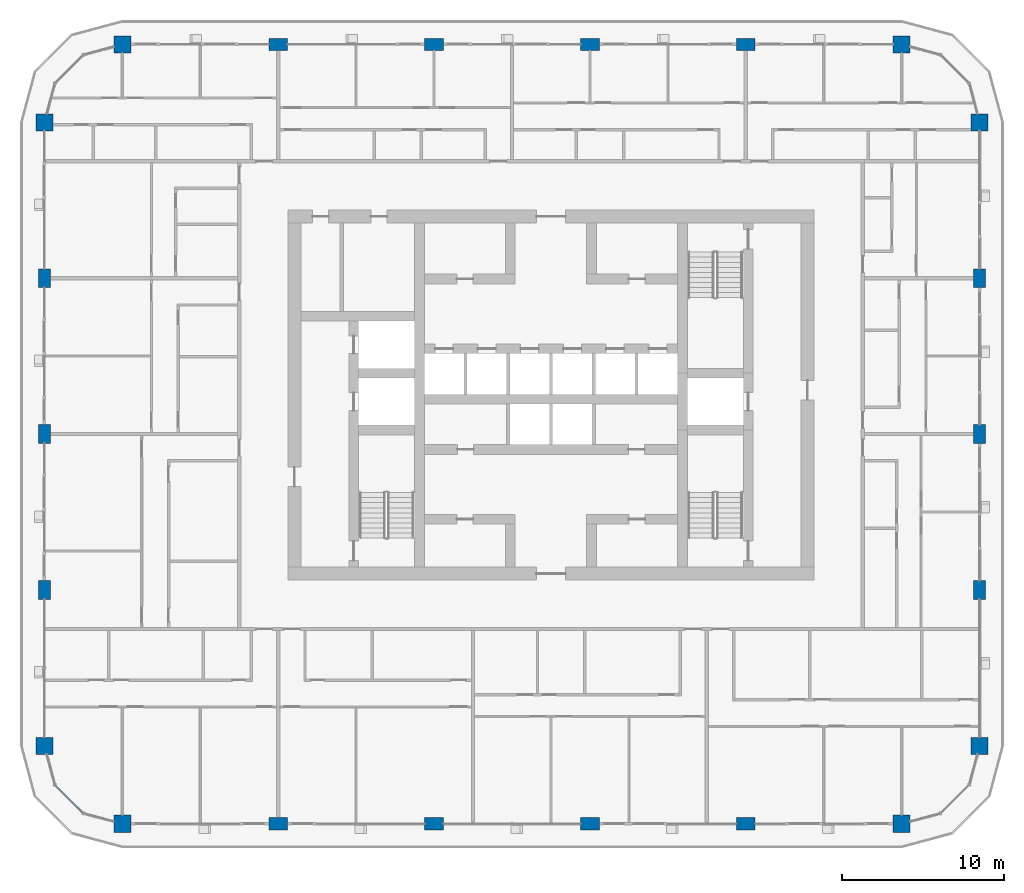
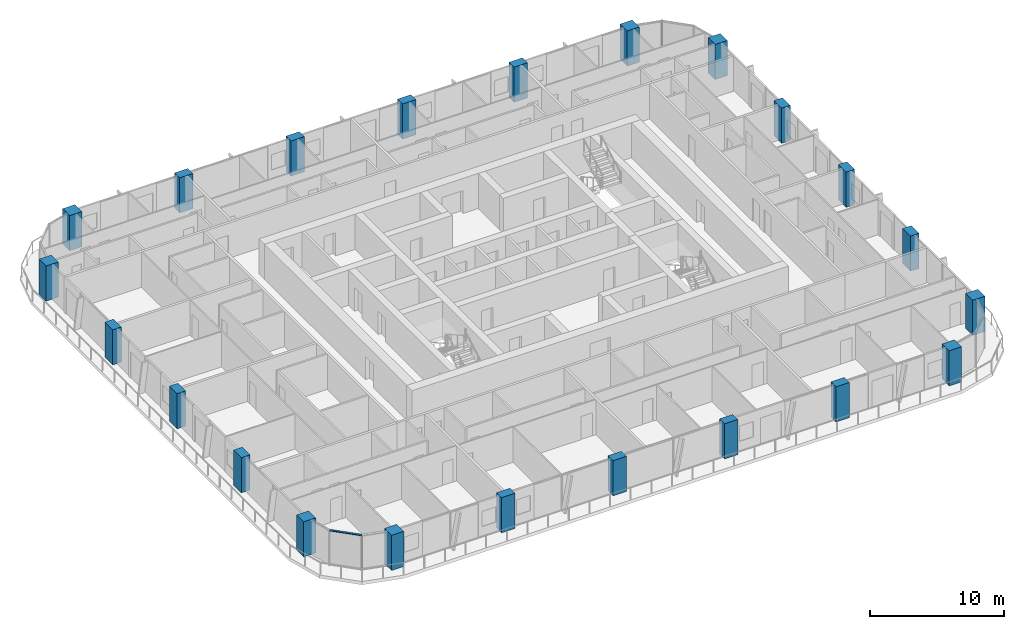
# One storey, part 1 of 22: 22 columns, 1 member, 1 element without a shape of its own.
"""IFC4 building model written with IfcOpenShell, lengths in metres."""

from ifc_helpers import new_model, si_unit, direction, frame, origin, origin_2d, place, context, subcontext, project, spatial, rectangle, extrude, material, layer, layer_set, material_profile, profile_set, type_object, element, aggregate, save


model = new_model("IFC4")

# Units and contexts
model_context = context("Model", 3, precision=1e-05, world=origin(), true_north=direction((0.0, 1.0)))
body_context = subcontext(model_context, "Body", "Model", "MODEL_VIEW")
ifc_project = project(units=[si_unit("LENGTHUNIT", "METRE"), si_unit("AREAUNIT", "SQUARE_METRE"), si_unit("VOLUMEUNIT", "CUBIC_METRE"), si_unit("PLANEANGLEUNIT", "RADIAN"), si_unit("MASSUNIT", "GRAM", prefix="KILO")], contexts=[model_context])

# Site, building, storey
site_placement = place(None, origin())
site = spatial("IfcSite", under=ifc_project, at=site_placement, CompositionType="ELEMENT")
building_placement = place(site_placement, origin())
building = spatial("IfcBuilding", under=site, at=building_placement, Name="Madar Terraces", CompositionType="ELEMENT")
storey_placement = place(building_placement, frame((0.0, 0.0, 152.5)))
storey = spatial("IfcBuildingStorey", under=building, at=storey_placement, Name="L39", CompositionType="ELEMENT", Elevation=152.5)

# Columns
ifc_material_1 = material(Name="Concrete C70/85", Category="concrete")
ifc_material_profile_1 = material_profile(ifc_material_1, rectangle(XDim=1.14990234375, YDim=0.75, at=origin_2d()), Name="CC3 RC 1150x750")
ifc_profile_set_1 = profile_set([ifc_material_profile_1], Name="Concrete C70/85")
column_type_1 = type_object("IfcColumnType", Name="CC3 RC 1150x750", PredefinedType="COLUMN", material=ifc_profile_set_1)
for number, where, z_axis, x_axis, name in (
    (1, (14.39990234375, 0.0, 0.0), (0.0, 0.0, 1.0), (1.0, 0.0, 0.0), "Perimeter column S2"),
    (2, (24.0, 0.0, 0.0), (0.0, 0.0, 1.0), (1.0, 0.0, 0.0), "Perimeter column S3"),
    (3, (33.60009765625, 0.0, 0.0), (0.0, 0.0, 1.0), (1.0, 0.0, 0.0), "Perimeter column S4"),
    (4, (43.199951171875, 0.0, 0.0), (0.0, 0.0, 1.0), (1.0, 0.0, 0.0), "Perimeter column S5"),
    (5, (57.60009765625, 14.39990234375, 0.0), (0.0, 0.0, 1.0), (0.0, 1.0, 0.0), "Perimeter column E2"),
    (6, (57.60009765625, 24.0, 0.0), (0.0, 0.0, 1.0), (0.0, 1.0, 0.0), "Perimeter column E3"),
    (7, (57.60009765625, 33.60009765625, 0.0), (0.0, 0.0, 1.0), (0.0, 1.0, 0.0), "Perimeter column E4"),
    (8, (43.199951171875, 48.0, 0.0), (0.0, 0.0, 1.0), (1.0, 0.0, 0.0), "Perimeter column N2"),
    (9, (33.60009765625, 48.0, 0.0), (0.0, 0.0, 1.0), (1.0, 0.0, 0.0), "Perimeter column N3"),
    (10, (24.0, 48.0, 0.0), (0.0, 0.0, 1.0), (1.0, 0.0, 0.0), "Perimeter column N4"),
    (11, (14.39990234375, 48.0, 0.0), (0.0, 0.0, 1.0), (1.0, 0.0, 0.0), "Perimeter column N5"),
    (12, (0.0, 33.60009765625, 0.0), (0.0, 0.0, 1.0), (0.0, 1.0, 0.0), "Perimeter column W2"),
    (13, (0.0, 24.0, 0.0), (0.0, 0.0, 1.0), (0.0, 1.0, 0.0), "Perimeter column W3"),
    (14, (0.0, 14.39990234375, 0.0), (0.0, 0.0, 1.0), (0.0, 1.0, 0.0), "Perimeter column W4"),
):
    element("IfcColumn", number, at=place(storey_placement, frame(where, z_axis=z_axis, x_axis=x_axis)), inside=storey, type_object=column_type_1, Name=name, PredefinedType="COLUMN", context=body_context, shape_type="SweptSolid", body=[
        extrude(rectangle(XDim=1.14990234375, YDim=0.75, at=origin_2d()), origin(), (0.0, 0.0, 1.0), 3.199951171875),
    ])
ifc_material_2 = material(Name="Concrete C70/85", Category="concrete")
ifc_material_profile_2 = material_profile(ifc_material_2, rectangle(XDim=1.050048828125, YDim=1.050048828125, at=origin_2d()), Name="KC3 RC 1050x1050")
ifc_profile_set_2 = profile_set([ifc_material_profile_2], Name="Concrete C70/85")
column_type_2 = type_object("IfcColumnType", Name="KC3 RC 1050x1050", PredefinedType="COLUMN", material=ifc_profile_set_2)
for number, where, z_axis, x_axis, name in (
    (15, (4.800048828125, 0.0, 0.0), (0.0, 0.0, 1.0), (1.0, 0.0, 0.0), "Perimeter column S1"),
    (16, (52.800048828125, 0.0, 0.0), (0.0, 0.0, 1.0), (1.0, 0.0, 0.0), "Perimeter column S6"),
    (17, (57.60009765625, 4.800048828125, 0.0), (0.0, 0.0, 1.0), (1.0, 0.0, 0.0), "Perimeter column E1"),
    (18, (57.60009765625, 43.199951171875, 0.0), (0.0, 0.0, 1.0), (1.0, 0.0, 0.0), "Perimeter column E5"),
    (19, (52.800048828125, 48.0, 0.0), (0.0, 0.0, 1.0), (1.0, 0.0, 0.0), "Perimeter column N1"),
    (20, (4.800048828125, 48.0, 0.0), (0.0, 0.0, 1.0), (1.0, 0.0, 0.0), "Perimeter column N6"),
    (21, (0.0, 43.199951171875, 0.0), (0.0, 0.0, 1.0), (1.0, 0.0, 0.0), "Perimeter column W1"),
    (22, (0.0, 4.800048828125, 0.0), (0.0, 0.0, 1.0), (1.0, 0.0, 0.0), "Perimeter column W5"),
):
    element("IfcColumn", number, at=place(storey_placement, frame(where, z_axis=z_axis, x_axis=x_axis)), inside=storey, type_object=column_type_2, Name=name, PredefinedType="COLUMN", context=body_context, shape_type="SweptSolid", body=[
        extrude(rectangle(XDim=1.050048828125, YDim=1.050048828125, at=origin_2d()), origin(), (0.0, 0.0, 1.0), 3.199951171875),
    ])

# Curtain wall, member
ifc_material_3 = material(Name="Glass, ceramic frit dark grey, with black aluminium frame", Category="aluminium")
ifc_layer = layer(ifc_material_3, 0.199951171875)
ifc_layer_set = layer_set([ifc_layer], Name="Facade curtain wall, fritted glass")
curtain_wall_type = type_object("IfcCurtainWallType", Name="Facade curtain wall, fritted glass", PredefinedType="NOTDEFINED", material=ifc_layer_set)
curtain_wall_placement = place(storey_placement, origin())
curtain_wall = element("IfcCurtainWall", 23, at=curtain_wall_placement, inside=storey, type_object=curtain_wall_type, Name="Outer skin curtain wall south-west corner", PredefinedType="NOTDEFINED")
ifc_material_4 = material(Name="Aluminium, black anodised", Category="aluminium")
ifc_material_profile_3 = material_profile(ifc_material_4, rectangle(XDim=0.1201171875, YDim=0.06005859375, at=origin_2d()), Name="Facade transom 60x120")
ifc_profile_set_3 = profile_set([ifc_material_profile_3], Name="Aluminium, black anodised")
member_type = type_object("IfcMemberType", Name="Facade transom 60x120", PredefinedType="USERDEFINED", material=ifc_profile_set_3)
member_placement = place(storey_placement, frame((0.664306640625, 2.37890625, 3.169921875), z_axis=(0.707106781187, -0.707106781187, 0.0), x_axis=(0.707106781187, 0.707106781187, 0.0)))
member = element("IfcMember", 24, at=member_placement, type_object=member_type, Name="Transom 2", ObjectType="TRANSOM", PredefinedType="USERDEFINED", context=body_context, shape_type="SweptSolid", body=[
    extrude(rectangle(XDim=0.1201171875, YDim=0.06005859375, at=origin_2d()), origin(), (0.0, 0.0, 1.0), 2.4248046875),
])
aggregate(curtain_wall, [member])

save(model, "model.ifc")
